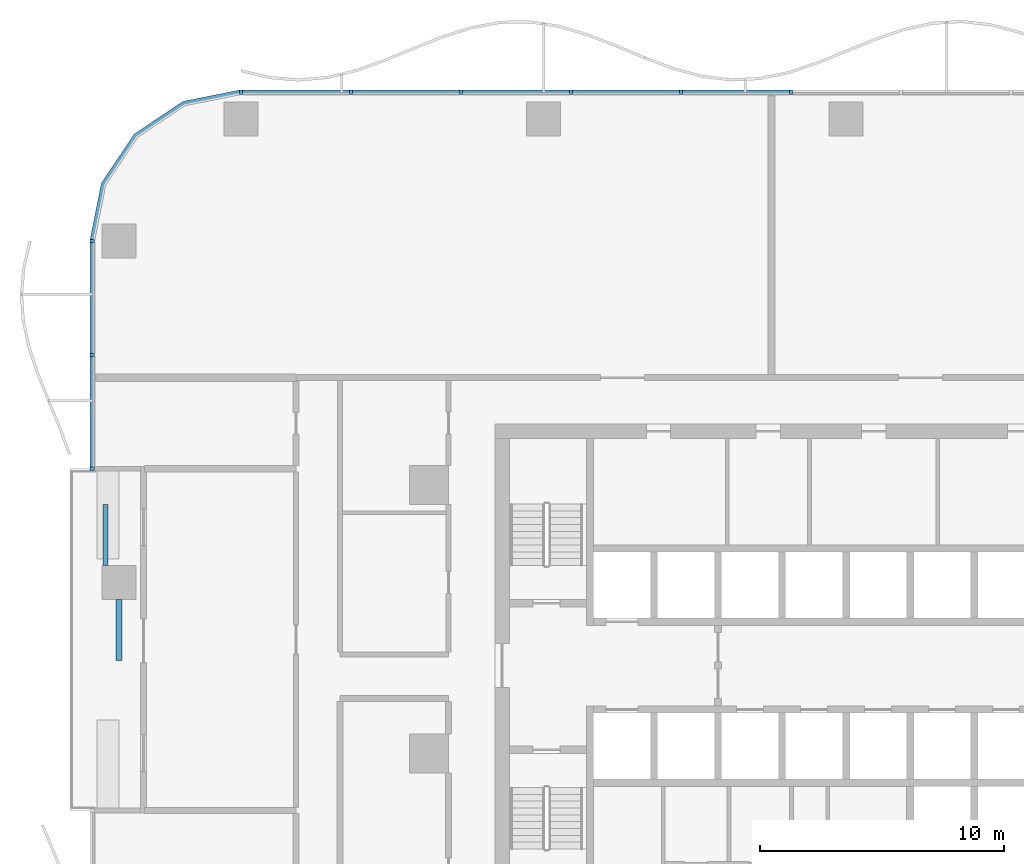
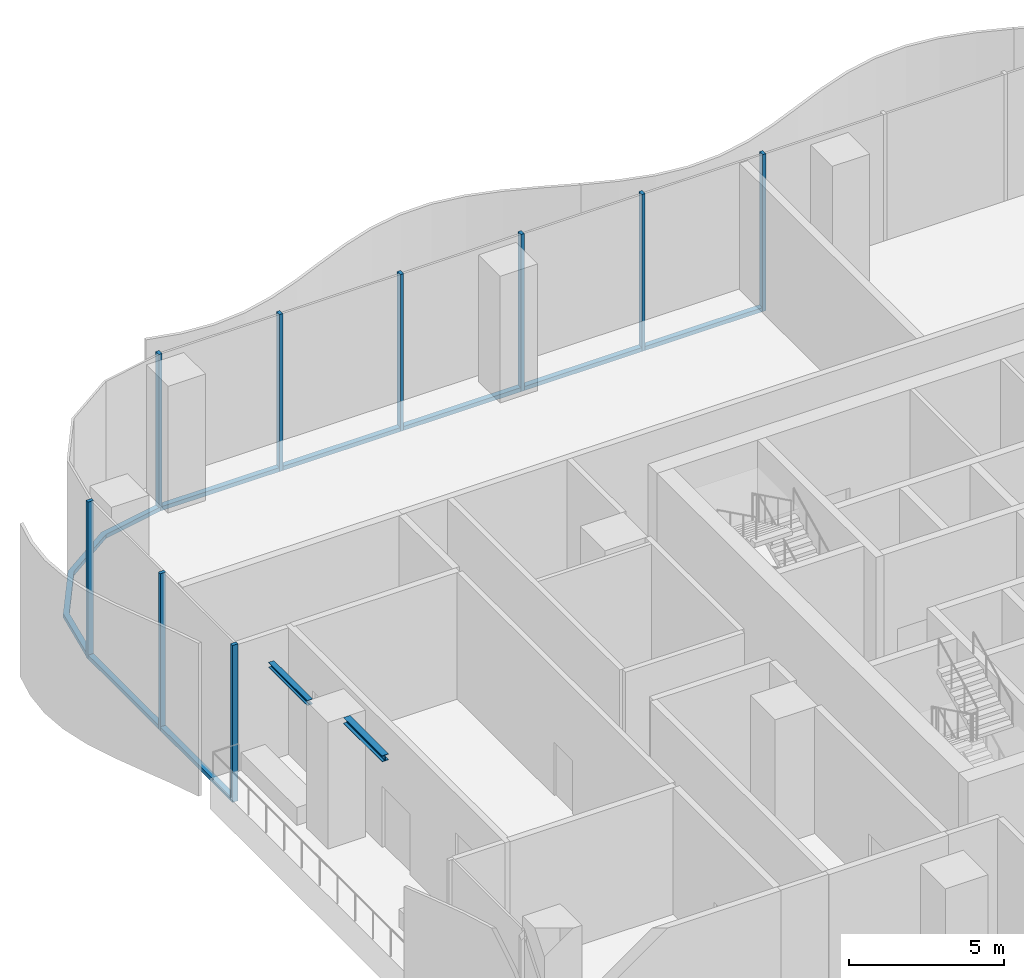
# One storey, part 4 of 21: 17 members, 2 beams, 3 elements without a shape of their own.
"""IFC4 building model written with IfcOpenShell, lengths in metres."""

from ifc_helpers import new_model, si_unit, direction, frame, origin, origin_2d, place, context, subcontext, project, spatial, polyline, rectangle, i_section, outline, extrude, material, material_profile, profile_set, type_object, element, aggregate, save


model = new_model("IFC4")

# Units and contexts
model_context = context("Model", 3, precision=1e-05, world=origin(), true_north=direction((0.0, 1.0)))
body_context = subcontext(model_context, "Body", "Model", "MODEL_VIEW")
ifc_project = project(units=[si_unit("LENGTHUNIT", "METRE"), si_unit("AREAUNIT", "SQUARE_METRE"), si_unit("VOLUMEUNIT", "CUBIC_METRE"), si_unit("PLANEANGLEUNIT", "RADIAN"), si_unit("MASSUNIT", "GRAM", prefix="KILO")], contexts=[model_context])

# Site, building, storey
site_placement = place(None, origin())
site = spatial("IfcSite", under=ifc_project, at=site_placement, CompositionType="ELEMENT")
building_placement = place(site_placement, origin())
building = spatial("IfcBuilding", under=site, at=building_placement, Name="Mopane Tessera Tower", CompositionType="ELEMENT")
storey_placement = place(building_placement, frame((0.0, 0.0, 9.0)))
storey = spatial("IfcBuildingStorey", under=building, at=storey_placement, Name="L01", CompositionType="ELEMENT", Elevation=9.0)

# Curtain wall, members
ifc_material_1 = material(Name="Aluminium frame", Category="aluminium")
curtain_wall_type = type_object("IfcCurtainWallType", Name="Podium unitised wall", PredefinedType="NOTDEFINED", material=ifc_material_1)
curtain_wall_1_placement = place(storey_placement, origin())
curtain_wall_1 = element("IfcCurtainWall", 1, at=curtain_wall_1_placement, inside=storey, type_object=curtain_wall_type, Name="e:cw:L01:N:0", PredefinedType="NOTDEFINED")
ifc_material_2 = material(Name="Aluminium frame", Category="aluminium")
ifc_material_profile_1 = material_profile(ifc_material_2, rectangle(XDim=0.125, YDim=0.199951171875, at=origin_2d()))
ifc_profile_set_1 = profile_set([ifc_material_profile_1], Name="Aluminium frame")
member_type_1 = type_object("IfcMemberType", Name="Aluminium mullion 125 x 200", PredefinedType="MULLION", material=ifc_profile_set_1)
member_1_placement = place(storey_placement, frame((-2.254638671875, 27.10009765625, -1.199951171875), z_axis=(0.0, 0.0, 1.0), x_axis=(-1.0, 0.0, 0.0)))
member_1 = element("IfcMember", 2, at=member_1_placement, type_object=member_type_1, Name="e:cw:L01:N:0:mu6", PredefinedType="MULLION", context=body_context, shape_type="SweptSolid", body=[
    extrude(rectangle(XDim=0.125, YDim=0.199951171875, at=origin_2d()), origin(), (0.0, 0.0, 1.0), 6.199951171875),
])
member_2_placement = place(storey_placement, frame((-6.763671875, 27.10009765625, -1.199951171875), z_axis=(0.0, 0.0, 1.0), x_axis=(-1.0, 0.0, 0.0)))
member_2 = element("IfcMember", 3, at=member_2_placement, type_object=member_type_1, Name="e:cw:L01:N:0:mu7", PredefinedType="MULLION", context=body_context, shape_type="SweptSolid", body=[
    extrude(rectangle(XDim=0.125, YDim=0.199951171875, at=origin_2d()), origin(), (0.0, 0.0, 1.0), 6.199951171875),
])
member_3_placement = place(storey_placement, frame((-11.272705078125, 27.10009765625, -1.199951171875), z_axis=(0.0, 0.0, 1.0), x_axis=(-1.0, 0.0, 0.0)))
member_3 = element("IfcMember", 4, at=member_3_placement, type_object=member_type_1, Name="e:cw:L01:N:0:mu8", PredefinedType="MULLION", context=body_context, shape_type="SweptSolid", body=[
    extrude(rectangle(XDim=0.125, YDim=0.199951171875, at=origin_2d()), origin(), (0.0, 0.0, 1.0), 6.199951171875),
])
member_4_placement = place(storey_placement, frame((-15.78173828125, 27.10009765625, -1.199951171875), z_axis=(0.0, 0.0, 1.0), x_axis=(-1.0, 0.0, 0.0)))
member_4 = element("IfcMember", 5, at=member_4_placement, type_object=member_type_1, Name="e:cw:L01:N:0:mu9", PredefinedType="MULLION", context=body_context, shape_type="SweptSolid", body=[
    extrude(rectangle(XDim=0.125, YDim=0.199951171875, at=origin_2d()), origin(), (0.0, 0.0, 1.0), 6.199951171875),
])
member_5_placement = place(storey_placement, frame((-20.291015625, 27.10009765625, -1.199951171875), z_axis=(0.0, 0.0, 1.0), x_axis=(-1.0, 0.0, 0.0)))
member_5 = element("IfcMember", 6, at=member_5_placement, type_object=member_type_1, Name="e:cw:L01:N:0:mu10", PredefinedType="MULLION", context=body_context, shape_type="SweptSolid", body=[
    extrude(rectangle(XDim=0.125, YDim=0.199951171875, at=origin_2d()), origin(), (0.0, 0.0, 1.0), 6.199951171875),
])
member_6_placement = place(storey_placement, frame((-24.800048828125, 27.10009765625, -1.199951171875), z_axis=(0.0, 0.0, 1.0), x_axis=(-1.0, 0.0, 0.0)))
member_6 = element("IfcMember", 7, at=member_6_placement, type_object=member_type_1, Name="e:cw:L01:N:0:mu11", PredefinedType="MULLION", context=body_context, shape_type="SweptSolid", body=[
    extrude(rectangle(XDim=0.125, YDim=0.199951171875, at=origin_2d()), origin(), (0.0, 0.0, 1.0), 6.199951171875),
])

curtain_wall_2_placement = place(storey_placement, origin())
curtain_wall_2 = element("IfcCurtainWall", 8, at=curtain_wall_2_placement, inside=storey, type_object=curtain_wall_type, Name="e:cw:L01:W:0", PredefinedType="NOTDEFINED")
member_7_placement = place(storey_placement, frame((-30.89990234375, 21.0, -1.199951171875), z_axis=(0.0, 0.0, 1.0), x_axis=(0.0, -1.0, 0.0)))
member_7 = element("IfcMember", 9, at=member_7_placement, type_object=member_type_1, Name="e:cw:L01:W:0:mu0", PredefinedType="MULLION", context=body_context, shape_type="SweptSolid", body=[
    extrude(rectangle(XDim=0.125, YDim=0.199951171875, at=origin_2d()), origin(), (0.0, 0.0, 1.0), 6.199951171875),
])
member_8_placement = place(storey_placement, frame((-30.89990234375, 16.333251953125, -1.199951171875), z_axis=(0.0, 0.0, 1.0), x_axis=(0.0, -1.0, 0.0)))
member_8 = element("IfcMember", 10, at=member_8_placement, type_object=member_type_1, Name="e:cw:L01:W:0:mu1", PredefinedType="MULLION", context=body_context, shape_type="SweptSolid", body=[
    extrude(rectangle(XDim=0.125, YDim=0.199951171875, at=origin_2d()), origin(), (0.0, 0.0, 1.0), 6.199951171875),
])
member_9_placement = place(storey_placement, frame((-30.89990234375, 11.666748046875, -1.199951171875), z_axis=(0.0, 0.0, 1.0), x_axis=(0.0, -1.0, 0.0)))
member_9 = element("IfcMember", 11, at=member_9_placement, type_object=member_type_1, Name="e:cw:L01:W:0:mu2", PredefinedType="MULLION", context=body_context, shape_type="SweptSolid", body=[
    extrude(rectangle(XDim=0.125, YDim=0.199951171875, at=origin_2d()), origin(), (0.0, 0.0, 1.0), 6.199951171875),
])

# Member
ifc_material_3 = material(Name="Aluminium frame", Category="aluminium")
ifc_material_profile_2 = material_profile(ifc_material_3, rectangle(XDim=0.199951171875, YDim=0.159912109375, at=origin_2d()))
ifc_profile_set_2 = profile_set([ifc_material_profile_2], Name="Aluminium frame")
member_type_2 = type_object("IfcMemberType", Name="Aluminium transom 200 x 160", PredefinedType="USERDEFINED", material=ifc_profile_set_2)
member_10_placement = place(storey_placement, frame((-2.317138671875, 27.10009765625, -1.1201171875), z_axis=(-1.0, 0.0, 0.0), x_axis=(0.0, -1.0, 0.0)))
member_10 = element("IfcMember", 12, at=member_10_placement, type_object=member_type_2, Name="e:cw:L01:N:0:tr6", ObjectType="TRANSOM", PredefinedType="USERDEFINED", context=body_context, shape_type="SweptSolid", body=[
    extrude(rectangle(XDim=0.199951171875, YDim=0.159912109375, at=origin_2d()), origin(), (0.0, 0.0, 1.0), 4.384033203125),
])

member_11_placement = place(storey_placement, frame((-6.826171875, 27.10009765625, -1.1201171875), z_axis=(-1.0, 0.0, 0.0), x_axis=(0.0, -1.0, 0.0)))
member_11 = element("IfcMember", 13, at=member_11_placement, type_object=member_type_2, Name="e:cw:L01:N:0:tr7", ObjectType="TRANSOM", PredefinedType="USERDEFINED", context=body_context, shape_type="SweptSolid", body=[
    extrude(rectangle(XDim=0.199951171875, YDim=0.159912109375, at=origin_2d()), origin(), (0.0, 0.0, 1.0), 4.384033203125),
])

member_12_placement = place(storey_placement, frame((-11.335205078125, 27.10009765625, -1.1201171875), z_axis=(-1.0, 0.0, 0.0), x_axis=(0.0, -1.0, 0.0)))
member_12 = element("IfcMember", 14, at=member_12_placement, type_object=member_type_2, Name="e:cw:L01:N:0:tr8", ObjectType="TRANSOM", PredefinedType="USERDEFINED", context=body_context, shape_type="SweptSolid", body=[
    extrude(rectangle(XDim=0.199951171875, YDim=0.159912109375, at=origin_2d()), origin(), (0.0, 0.0, 1.0), 4.384033203125),
])

member_13_placement = place(storey_placement, frame((-15.84423828125, 27.10009765625, -1.1201171875), z_axis=(-1.0, 0.0, 0.0), x_axis=(0.0, -1.0, 0.0)))
member_13 = element("IfcMember", 15, at=member_13_placement, type_object=member_type_2, Name="e:cw:L01:N:0:tr9", ObjectType="TRANSOM", PredefinedType="USERDEFINED", context=body_context, shape_type="SweptSolid", body=[
    extrude(rectangle(XDim=0.199951171875, YDim=0.159912109375, at=origin_2d()), origin(), (0.0, 0.0, 1.0), 4.38427734375),
])

member_14_placement = place(storey_placement, frame((-20.353515625, 27.10009765625, -1.1201171875), z_axis=(-1.0, 0.0, 0.0), x_axis=(0.0, -1.0, 0.0)))
member_14 = element("IfcMember", 16, at=member_14_placement, type_object=member_type_2, Name="e:cw:L01:N:0:tr10", ObjectType="TRANSOM", PredefinedType="USERDEFINED", context=body_context, shape_type="SweptSolid", body=[
    extrude(rectangle(XDim=0.199951171875, YDim=0.159912109375, at=origin_2d()), origin(), (0.0, 0.0, 1.0), 4.384033203125),
])

aggregate(curtain_wall_1, [member_1, member_2, member_3, member_4, member_5, member_6, member_10, member_11, member_12, member_13, member_14])

# Curtain wall, member
curtain_wall_3_placement = place(storey_placement, origin())
curtain_wall_3 = element("IfcCurtainWall", 17, at=curtain_wall_3_placement, inside=storey, type_object=curtain_wall_type, Name="e:cw:L01:CN", PredefinedType="NOTDEFINED")
member_15_placement = place(storey_placement, frame((0.0, 0.0, -1.199951171875)))
member_15 = element("IfcMember", 18, at=member_15_placement, type_object=member_type_2, Name="e:cw:L01:CN:tr", ObjectType="TRANSOM", PredefinedType="USERDEFINED", context=body_context, shape_type="SweptSolid", body=[
    extrude(outline(polyline([(-24.800048828125, 27.0), (-27.09619140625, 26.543212890625), (-29.042724609375, 25.24267578125), (-30.34326171875, 23.296142578125), (-30.800048828125, 21.0), (-31.0, 21.0), (-30.528076171875, 23.37255859375), (-29.18408203125, 25.384033203125), (-27.172607421875, 26.72802734375), (-24.800048828125, 27.199951171875), (-24.800048828125, 27.0)])), origin(), (0.0, 0.0, 1.0), 0.159912109375),
])
aggregate(curtain_wall_3, [member_15])

# Member
member_16_placement = place(storey_placement, frame((-30.89990234375, 20.9375, -1.1201171875), z_axis=(0.0, -1.0, 0.0), x_axis=(1.0, 0.0, 0.0)))
member_16 = element("IfcMember", 19, at=member_16_placement, type_object=member_type_2, Name="e:cw:L01:W:0:tr0", ObjectType="TRANSOM", PredefinedType="USERDEFINED", context=body_context, shape_type="SweptSolid", body=[
    extrude(rectangle(XDim=0.199951171875, YDim=0.159912109375, at=origin_2d()), origin(), (0.0, 0.0, 1.0), 4.541748046875),
])

member_17_placement = place(storey_placement, frame((-30.89990234375, 16.270751953125, -1.1201171875), z_axis=(0.0, -1.0, 0.0), x_axis=(1.0, 0.0, 0.0)))
member_17 = element("IfcMember", 20, at=member_17_placement, type_object=member_type_2, Name="e:cw:L01:W:0:tr1", ObjectType="TRANSOM", PredefinedType="USERDEFINED", context=body_context, shape_type="SweptSolid", body=[
    extrude(rectangle(XDim=0.199951171875, YDim=0.159912109375, at=origin_2d()), origin(), (0.0, 0.0, 1.0), 4.54150390625),
])

aggregate(curtain_wall_2, [member_7, member_8, member_9, member_16, member_17])

# Beams
ifc_material_4 = material(Name="Structural steel S460", Category="steel")
ifc_material_profile_3 = material_profile(ifc_material_4, i_section(OverallWidth=0.239990234375, OverallDepth=0.239990234375, WebThickness=0.010009765625, FlangeThickness=0.01708984375, FilletRadius=0.02099609375, at=origin_2d()))
ifc_profile_set_3 = profile_set([ifc_material_profile_3], Name="Structural steel S460")
beam_type_1 = type_object("IfcBeamType", Name="Terrace spandrel beam HE 240 B", PredefinedType="SPANDREL", material=ifc_profile_set_3)
beam_1_placement = place(storey_placement, frame((-29.800048828125, 6.297119140625, 4.8798828125), z_axis=(0.0, -1.0, 0.0), x_axis=(1.0, 0.0, 0.0)))
element("IfcBeam", 21, at=beam_1_placement, inside=storey, type_object=beam_type_1, Name="Terrace spandrel beam N3 L02", PredefinedType="SPANDREL", context=body_context, shape_type="SweptSolid", body=[
    extrude(i_section(OverallWidth=0.239990234375, OverallDepth=0.239990234375, WebThickness=0.010009765625, FlangeThickness=0.01708984375, FilletRadius=0.02099609375, at=origin_2d()), origin(), (0.0, 0.0, 1.0), 2.5),
])
ifc_material_5 = material(Name="Structural steel S460", Category="steel")
ifc_material_profile_4 = material_profile(ifc_material_5, i_section(OverallWidth=0.199951171875, OverallDepth=0.199951171875, WebThickness=0.009033203125, FlangeThickness=0.014892578125, FilletRadius=0.01806640625, at=origin_2d()))
ifc_profile_set_4 = profile_set([ifc_material_profile_4], Name="Structural steel S460")
beam_type_2 = type_object("IfcBeamType", Name="Terrace trimmer beam HE 200 B", PredefinedType="BEAM", material=ifc_profile_set_4)
beam_2_placement = place(storey_placement, frame((-30.360107421875, 7.702880859375, 4.89990234375), z_axis=(0.0, 1.0, 0.0), x_axis=(-1.0, 0.0, 0.0)))
element("IfcBeam", 22, at=beam_2_placement, inside=storey, type_object=beam_type_2, Name="Terrace trimmer beam N3 L02", PredefinedType="BEAM", context=body_context, shape_type="SweptSolid", body=[
    extrude(i_section(OverallWidth=0.199951171875, OverallDepth=0.199951171875, WebThickness=0.009033203125, FlangeThickness=0.014892578125, FilletRadius=0.01806640625, at=origin_2d()), origin(), (0.0, 0.0, 1.0), 2.5),
])

save(model, "model.ifc")
